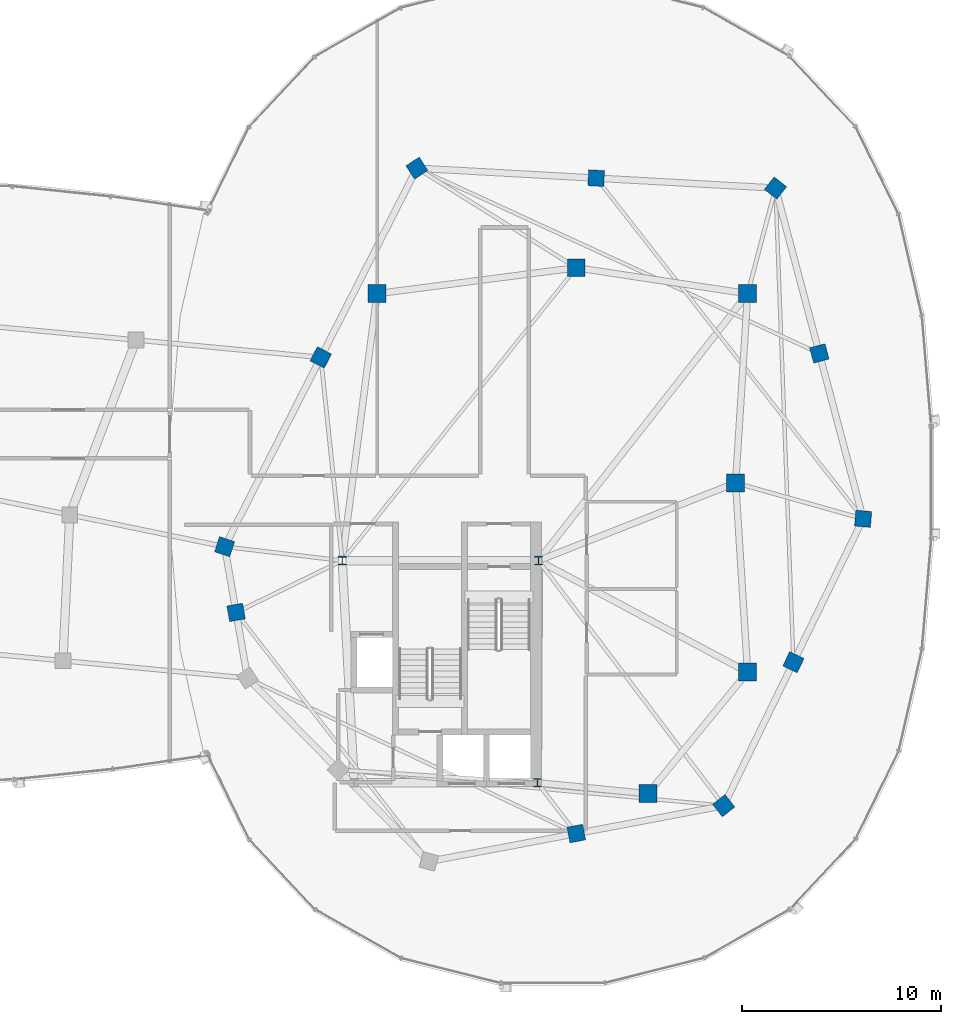
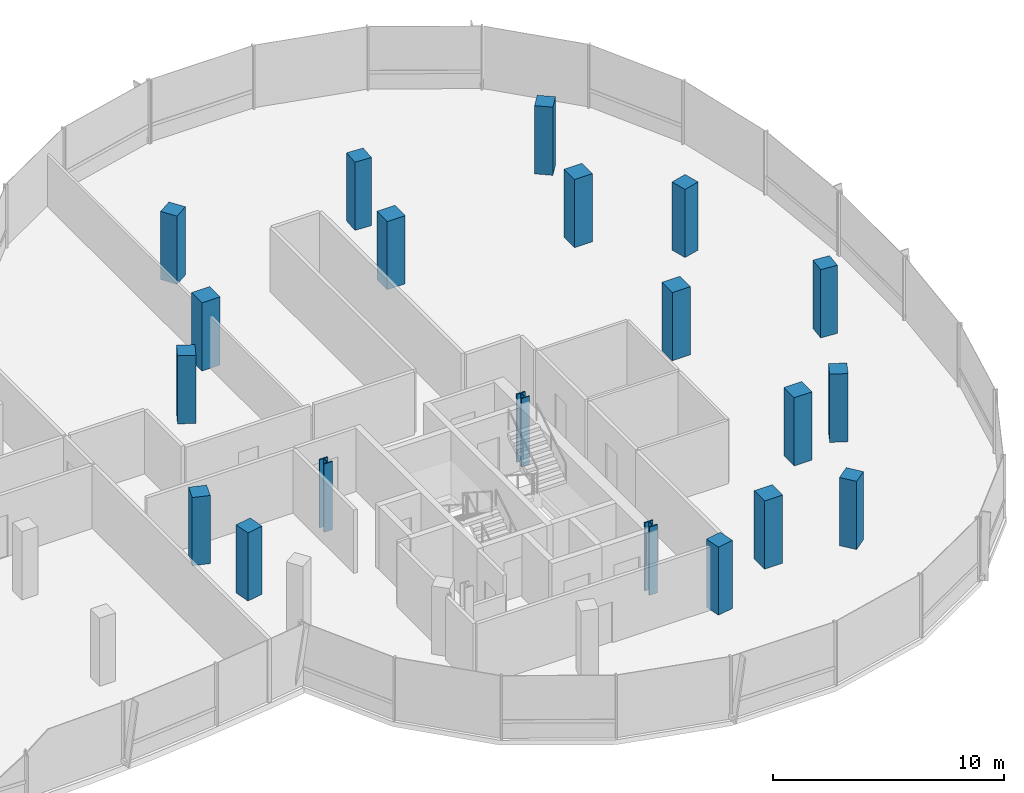
# One storey, part 2 of 24: 20 columns.
"""IFC4 building model written with IfcOpenShell, lengths in metres."""

from ifc_helpers import new_model, si_unit, direction, frame, origin, origin_2d, place, context, subcontext, project, spatial, rectangle, i_section, extrude, material, material_profile, profile_set, type_object, element, save


model = new_model("IFC4")

# Units and contexts
model_context = context("Model", 3, precision=1e-05, world=origin(), true_north=direction((0.0, 1.0)))
body_context = subcontext(model_context, "Body", "Model", "MODEL_VIEW")
ifc_project = project(units=[si_unit("LENGTHUNIT", "METRE"), si_unit("AREAUNIT", "SQUARE_METRE"), si_unit("VOLUMEUNIT", "CUBIC_METRE"), si_unit("PLANEANGLEUNIT", "RADIAN"), si_unit("MASSUNIT", "GRAM", prefix="KILO"), si_unit("THERMODYNAMICTEMPERATUREUNIT", "KELVIN"), si_unit("POWERUNIT", "WATT")], contexts=[model_context])

# Site, building, storey
site_placement = place(None, origin())
site = spatial("IfcSite", under=ifc_project, at=site_placement, CompositionType="ELEMENT")
building_placement = place(site_placement, origin())
building = spatial("IfcBuilding", under=site, at=building_placement, Name="Cundina Bronze Exchange", CompositionType="ELEMENT")
storey_placement = place(building_placement, frame((0.0, 0.0, 268.39990234375)))
storey = spatial("IfcBuildingStorey", under=building, at=storey_placement, Name="L71", CompositionType="ELEMENT", Elevation=268.39990234375)

# Columns
ifc_material_1 = material(Name="Concrete C50/60", Category="concrete")
ifc_material_profile_1 = material_profile(ifc_material_1, rectangle(XDim=0.800048828125, YDim=0.800048828125, at=origin_2d()), Name="RC800X800", Category="concrete")
ifc_profile_set_1 = profile_set([ifc_material_profile_1], Name="Concrete C50/60")
column_type_1 = type_object("IfcColumnType", Name="COL-BRG-800", PredefinedType="COLUMN", material=ifc_profile_set_1)
for number, where, z_axis, x_axis, name in (
    (1, (15.550048828125, -3.199951171875, 0.0), (0.0, 0.0, 1.0), (-0.315152163383, -0.949041155016, 0.0), "L71 E Perimeter Column 00"),
    (2, (16.125, -6.5, 0.0), (0.0, 0.0, 1.0), (0.171585221787, -0.985169280715, 0.0), "L71 E Perimeter Column 01"),
    (3, (33.199951171875, -17.60009765625, 0.0), (0.0, 0.0, 1.0), (0.98258037664, 0.185838110843, 0.0), "L71 E Perimeter Column 05"),
    (4, (40.60009765625, -16.199951171875, 0.0), (0.0, 0.0, 1.0), (0.785100778485, 0.619368038909, 0.0), "L71 E Perimeter Column 06"),
    (5, (44.10009765625, -9.0, 0.0), (0.0, 0.0, 1.0), (0.437115766651, 0.899405251566, 0.0), "L71 E Perimeter Column 07"),
    (6, (47.60009765625, -1.800048828125, 0.0), (0.0, 0.0, 1.0), (0.083503921245, 0.996507448611, 0.0), "L71 E Perimeter Column 08"),
    (7, (45.39990234375, 6.5, 0.0), (0.0, 0.0, 1.0), (-0.256289373133, 0.966600102017, 0.0), "L71 E Perimeter Column 09"),
    (8, (43.199951171875, 14.800048828125, 0.0), (0.0, 0.0, 1.0), (-0.786288432137, 0.61785961309, 0.0), "L71 E Perimeter Column 10"),
    (9, (34.199951171875, 15.300048828125, 0.0), (0.0, 0.0, 1.0), (-0.998460188734, 0.055472980025, 0.0), "L71 E Perimeter Column 11"),
    (10, (25.199951171875, 15.800048828125, 0.0), (0.0, 0.0, 1.0), (-0.838099763533, -0.545516989988, 0.0), "L71 E Perimeter Column 12"),
    (11, (20.375, 6.300048828125, 0.0), (0.0, 0.0, 1.0), (-0.452901591366, -0.891560513111, 0.0), "L71 E Perimeter Column 13"),
):
    element("IfcColumn", number, at=place(storey_placement, frame(where, z_axis=z_axis, x_axis=x_axis)), inside=storey, type_object=column_type_1, Name=name, PredefinedType="COLUMN", context=body_context, shape_type="SweptSolid", body=[
        extrude(rectangle(XDim=0.800048828125, YDim=0.800048828125, at=origin_2d()), origin(), (0.0, 0.0, 1.0), 3.60009765625),
    ])
ifc_material_2 = material(Name="Steel ASTM A992 Grade 50", Category="steel")
ifc_material_profile_2 = material_profile(ifc_material_2, i_section(OverallWidth=0.416015625, OverallDepth=0.446044921875, WebThickness=0.0390625, FlangeThickness=0.062744140625, FilletRadius=0.01806640625, at=origin_2d()), Name="W14X342", Category="steel")
ifc_profile_set_2 = profile_set([ifc_material_profile_2], Name="Steel ASTM A992 Grade 50")
column_type_2 = type_object("IfcColumnType", Name="COL-STL-W14B", PredefinedType="COLUMN", material=ifc_profile_set_2)
for number, where, z_axis, x_axis, name in (
    (12, (31.300048828125, -3.89990234375, 0.0), (0.0, 0.0, 1.0), (1.0, 0.0, 0.0), "L71 Core Anchor Column E1"),
    (13, (21.449951171875, -3.89990234375, 0.0), (0.0, 0.0, 1.0), (1.0, 0.0, 0.0), "L71 Core Anchor Column E2"),
    (14, (31.25, -15.050048828125, 0.0), (0.0, 0.0, 1.0), (1.0, 0.0, 0.0), "L71 Core Anchor Column E4"),
):
    element("IfcColumn", number, at=place(storey_placement, frame(where, z_axis=z_axis, x_axis=x_axis)), inside=storey, type_object=column_type_2, Name=name, PredefinedType="COLUMN", context=body_context, shape_type="SweptSolid", body=[
        extrude(i_section(OverallWidth=0.416015625, OverallDepth=0.446044921875, WebThickness=0.0390625, FlangeThickness=0.062744140625, FilletRadius=0.01806640625, at=origin_2d()), origin(), (0.0, 0.0, 1.0), 3.60009765625),
    ])
ifc_material_profile_3 = material_profile(ifc_material_1, rectangle(XDim=0.89990234375, YDim=0.89990234375, at=origin_2d()), Name="RC900X900", Category="concrete")
ifc_profile_set_3 = profile_set([ifc_material_profile_3], Name="Concrete C50/60")
column_type_3 = type_object("IfcColumnType", Name="COL-Z4-900", PredefinedType="COLUMN", material=ifc_profile_set_3)
for number, where, z_axis, x_axis, name in (
    (15, (41.199951171875, 0.0, 0.0), (0.0, 0.0, 1.0), (1.0, 0.0, 0.0), "L71 E Inner Ring Column 1"),
    (16, (41.800048828125, -9.5, 0.0), (0.0, 0.0, 1.0), (1.0, 0.0, 0.0), "L71 E Inner Ring Column 2"),
    (17, (36.800048828125, -15.60009765625, 0.0), (0.0, 0.0, 1.0), (1.0, 0.0, 0.0), "L71 E Inner Ring Column 3"),
    (18, (41.800048828125, 9.5, 0.0), (0.0, 0.0, 1.0), (1.0, 0.0, 0.0), "L71 E Inner Ring Column 4"),
    (19, (33.199951171875, 10.800048828125, 0.0), (0.0, 0.0, 1.0), (1.0, 0.0, 0.0), "L71 E Inner Ring Column 5"),
    (20, (23.199951171875, 9.5, 0.0), (0.0, 0.0, 1.0), (1.0, 0.0, 0.0), "L71 E Inner Ring Column 6"),
):
    element("IfcColumn", number, at=place(storey_placement, frame(where, z_axis=z_axis, x_axis=x_axis)), inside=storey, type_object=column_type_3, Name=name, PredefinedType="COLUMN", context=body_context, shape_type="SweptSolid", body=[
        extrude(rectangle(XDim=0.89990234375, YDim=0.89990234375, at=origin_2d()), origin(), (0.0, 0.0, 1.0), 3.60009765625),
    ])

save(model, "model.ifc")
